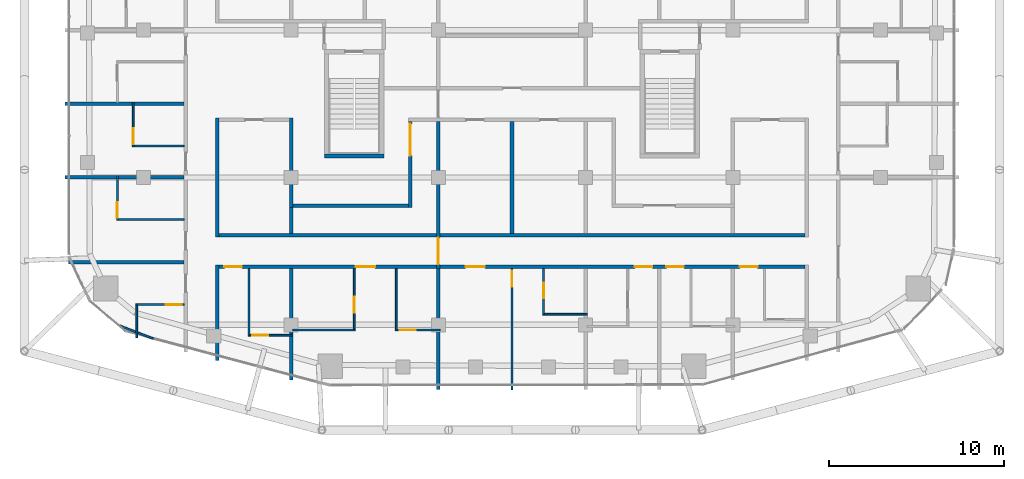
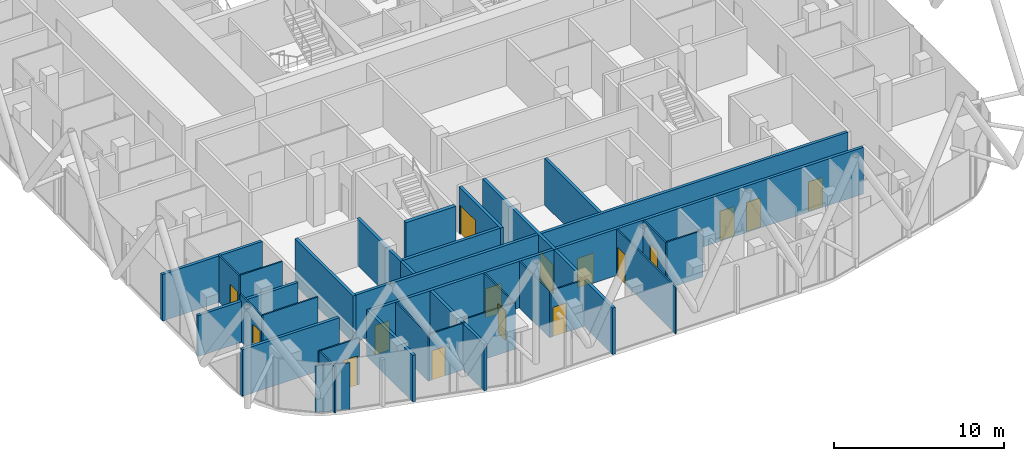
# One storey, part 23 of 31: 32 walls, 16 doors, 16 openings.
"""IFC4 building model written with IfcOpenShell, lengths in metres."""

from ifc_helpers import new_model, si_unit, direction, frame, frame_2d, origin, place, context, subcontext, project, spatial, rectangle, extrude, material, layer, layer_set, type_object, element, fill, save


model = new_model("IFC4")

# Units and contexts
model_context = context("Model", 3, precision=1e-05, world=origin(), true_north=direction((0.0, 1.0)))
body_context = subcontext(model_context, "Body", "Model", "MODEL_VIEW")
ifc_project = project(units=[si_unit("LENGTHUNIT", "METRE"), si_unit("AREAUNIT", "SQUARE_METRE"), si_unit("VOLUMEUNIT", "CUBIC_METRE"), si_unit("PLANEANGLEUNIT", "RADIAN"), si_unit("MASSUNIT", "GRAM", prefix="KILO")], contexts=[model_context])

# Site, building, storey
site_placement = place(None, origin())
site = spatial("IfcSite", under=ifc_project, at=site_placement, CompositionType="ELEMENT")
building_placement = place(site_placement, origin())
building = spatial("IfcBuilding", under=site, at=building_placement, Name="Marenta Gate Hotel Tower", CompositionType="ELEMENT")
storey_placement = place(building_placement, frame((0.0, 0.0, 220.10009765625)))
storey = spatial("IfcBuildingStorey", under=building, at=storey_placement, Name="L51", CompositionType="ELEMENT", Elevation=220.10009765625)

# Wall
ifc_material_1 = material(Name="Concrete blockwork", Category="masonry")
ifc_layer_1 = layer(ifc_material_1, 0.199951171875)
ifc_layer_set_1 = layer_set([ifc_layer_1], Name="Concrete blockwork")
wall_type_1 = type_object("IfcWallType", Name="Compartment wall 200 REI 180", PredefinedType="PARTITIONING", material=ifc_layer_set_1)
wall_1_placement = place(storey_placement, frame((-4.199951171875, -28.89990234375, 0.0), z_axis=(0.0, 0.0, 1.0), x_axis=(0.0, 1.0, 0.0)))
element("IfcWall", 1, at=wall_1_placement, inside=storey, type_object=wall_type_1, Name="L51-PTN-W080", PredefinedType="PARTITIONING", context=body_context, shape_type="SweptSolid", body=[
    extrude(rectangle(XDim=6.89990234375, YDim=0.199951171875, at=frame_2d((3.449951171875, 0.0))), origin(), (0.0, 0.0, 1.0), 3.33984375),
])

# Wall, opening, door
wall_2_placement = place(storey_placement, frame((-4.199951171875, -22.0, 0.0), z_axis=(0.0, 0.0, 1.0), x_axis=(0.0, 1.0, 0.0)))
wall_2 = element("IfcWall", 2, at=wall_2_placement, inside=storey, type_object=wall_type_1, Name="L51-PTN-W081", PredefinedType="PARTITIONING", context=body_context, shape_type="SweptSolid", body=[
    extrude(rectangle(XDim=8.39990234375, YDim=0.199951171875, at=frame_2d((4.199951171875, 0.0))), origin(), (0.0, 0.0, 1.0), 3.33984375),
])
opening_1_placement = place(wall_2_placement, frame((0.25, 0.0, 0.0)))
opening_1 = element("IfcOpeningElement", 3, at=opening_1_placement, cuts=wall_2, Name="Opening G19-FD4", PredefinedType="OPENING", context=body_context, shape_type="SweptSolid", body=[
    extrude(rectangle(XDim=1.5, YDim=2.10009765625, at=frame_2d((0.75, 1.050048828125))), frame((0.0, 0.10009765625, 0.0), z_axis=(0.0, -1.0, 0.0), x_axis=(1.0, 0.0, 0.0)), (0.0, 0.0, 1.0), 0.199951171875),
])
ifc_material_2 = material(Name="Hollow steel door set", Category="steel")
door_type_1 = type_object("IfcDoorType", Name="Compartment fire door 1500x2100 EI 60", OperationType="DOUBLE_DOOR_DOUBLE_SWING", PredefinedType="DOOR", material=ifc_material_2)
door_1_placement = place(opening_1_placement, origin())
door_1 = element("IfcDoor", 4, at=door_1_placement, inside=storey, type_object=door_type_1, Name="L51-PD-FD04", OperationType="DOUBLE_DOOR_DOUBLE_SWING", OverallHeight=2.10009765625, OverallWidth=1.5, PredefinedType="DOOR", context=body_context, shape_type="SweptSolid", body=[
    extrude(rectangle(XDim=1.5, YDim=2.10009765625, at=frame_2d((0.75, 1.050048828125))), frame((0.0, 0.02490234375, 0.0), z_axis=(0.0, -1.0, 0.0), x_axis=(1.0, 0.0, 0.0)), (0.0, 0.0, 1.0), 0.050048828125),
])
fill(opening_1, door_1)

# Wall
ifc_material_3 = material(Name="Concrete C40", Category="concrete")
ifc_layer_2 = layer(ifc_material_3, 0.25)
ifc_layer_set_2 = layer_set([ifc_layer_2], Name="Concrete C40")
wall_type_2 = type_object("IfcWallType", Name="Remote stair enclosure wall 250 REI 180", PredefinedType="SHEAR", material=ifc_layer_set_2)
wall_3_placement = place(storey_placement, frame((-10.699951171875, -15.574951171875, 0.099853515625), z_axis=(0.0, 0.0, 1.0), x_axis=(1.0, 0.0, 0.0)))
element("IfcWall", 5, at=wall_3_placement, inside=storey, type_object=wall_type_2, Name="L51-RS-Z3-1-W1", PredefinedType="SHEAR", context=body_context, shape_type="SweptSolid", body=[
    extrude(rectangle(XDim=3.39990234375, YDim=0.25, at=frame_2d((1.699951171875, 0.0))), origin(), (0.0, 0.0, 1.0), 3.60009765625),
])

# Wall, openings, doors
ifc_material_4 = material(Name="Gypsum board on steel stud", Category="steel")
ifc_layer_3 = layer(ifc_material_4, 0.199951171875)
ifc_layer_set_3 = layer_set([ifc_layer_3], Name="Gypsum board on steel stud")
wall_type_3 = type_object("IfcWallType", Name="Room corridor wall 200 EI 60", PredefinedType="PARTITIONING", material=ifc_layer_set_3)
wall_4_placement = place(storey_placement, frame((-16.699951171875, -21.89990234375, 0.0), z_axis=(0.0, 0.0, 1.0), x_axis=(1.0, 0.0, 0.0)))
wall_4 = element("IfcWall", 6, at=wall_4_placement, inside=storey, type_object=wall_type_3, Name="L51-PTN-W015", PredefinedType="PARTITIONING", context=body_context, shape_type="SweptSolid", body=[
    extrude(rectangle(XDim=33.39990234375, YDim=0.199951171875, at=frame_2d((16.699951171875, 0.0))), origin(), (0.0, 0.0, 1.0), 3.33984375),
])
opening_2_placement = place(wall_4_placement, frame((0.300048828125, 0.0, 0.0)))
opening_2 = element("IfcOpeningElement", 7, at=opening_2_placement, cuts=wall_4, Name="Opening G19-36", PredefinedType="OPENING", context=body_context, shape_type="SweptSolid", body=[
    extrude(rectangle(XDim=1.0, YDim=2.10009765625, at=frame_2d((0.5, 1.050048828125))), frame((0.0, 0.10009765625, 0.0), z_axis=(0.0, -1.0, 0.0), x_axis=(1.0, 0.0, 0.0)), (0.0, 0.0, 1.0), 0.199951171875),
])
opening_3_placement = place(wall_4_placement, frame((7.800048828125, 0.0, 0.0)))
opening_3 = element("IfcOpeningElement", 8, at=opening_3_placement, cuts=wall_4, Name="Opening G19-38", PredefinedType="OPENING", context=body_context, shape_type="SweptSolid", body=[
    extrude(rectangle(XDim=1.10009765625, YDim=2.10009765625, at=frame_2d((0.550048828125, 1.050048828125))), frame((0.0, 0.10009765625, 0.0), z_axis=(0.0, -1.0, 0.0), x_axis=(1.0, 0.0, 0.0)), (0.0, 0.0, 1.0), 0.199951171875),
])
opening_4_placement = place(wall_4_placement, frame((14.050048828125, 0.0, 0.0)))
opening_4 = element("IfcOpeningElement", 9, at=opening_4_placement, cuts=wall_4, Name="Opening G19-41", PredefinedType="OPENING", context=body_context, shape_type="SweptSolid", body=[
    extrude(rectangle(XDim=1.10009765625, YDim=2.10009765625, at=frame_2d((0.550048828125, 1.050048828125))), frame((0.0, 0.10009765625, 0.0), z_axis=(0.0, -1.0, 0.0), x_axis=(1.0, 0.0, 0.0)), (0.0, 0.0, 1.0), 0.199951171875),
])
opening_5_placement = place(wall_4_placement, frame((23.699951171875, 0.0, 0.0)))
opening_5 = element("IfcOpeningElement", 10, at=opening_5_placement, cuts=wall_4, Name="Opening G19-44", PredefinedType="OPENING", context=body_context, shape_type="SweptSolid", body=[
    extrude(rectangle(XDim=1.0, YDim=2.10009765625, at=frame_2d((0.5, 1.050048828125))), frame((0.0, 0.10009765625, 0.0), z_axis=(0.0, -1.0, 0.0), x_axis=(1.0, 0.0, 0.0)), (0.0, 0.0, 1.0), 0.199951171875),
])
opening_6_placement = place(wall_4_placement, frame((25.5, 0.0, 0.0)))
opening_6 = element("IfcOpeningElement", 11, at=opening_6_placement, cuts=wall_4, Name="Opening G19-46", PredefinedType="OPENING", context=body_context, shape_type="SweptSolid", body=[
    extrude(rectangle(XDim=1.0, YDim=2.10009765625, at=frame_2d((0.5, 1.050048828125))), frame((0.0, 0.10009765625, 0.0), z_axis=(0.0, -1.0, 0.0), x_axis=(1.0, 0.0, 0.0)), (0.0, 0.0, 1.0), 0.199951171875),
])
opening_7_placement = place(wall_4_placement, frame((29.699951171875, 0.0, 0.0)))
opening_7 = element("IfcOpeningElement", 12, at=opening_7_placement, cuts=wall_4, Name="Opening G19-48", PredefinedType="OPENING", context=body_context, shape_type="SweptSolid", body=[
    extrude(rectangle(XDim=1.0, YDim=2.10009765625, at=frame_2d((0.5, 1.050048828125))), frame((0.0, 0.10009765625, 0.0), z_axis=(0.0, -1.0, 0.0), x_axis=(1.0, 0.0, 0.0)), (0.0, 0.0, 1.0), 0.199951171875),
])
ifc_material_5 = material(Name="Timber door leaf", Category="wood")
door_type_2 = type_object("IfcDoorType", Name="Guest room door 1000x2100 EI 30", OperationType="NOTDEFINED", PredefinedType="DOOR", material=ifc_material_5)
door_2_placement = place(opening_2_placement, origin())
door_2 = element("IfcDoor", 13, at=door_2_placement, inside=storey, type_object=door_type_2, Name="L51-PD-D036", OperationType="SINGLE_SWING_RIGHT", OverallHeight=2.10009765625, OverallWidth=1.0, PredefinedType="DOOR", context=body_context, shape_type="SweptSolid", body=[
    extrude(rectangle(XDim=1.0, YDim=2.10009765625, at=frame_2d((0.5, 1.050048828125))), frame((0.0, 0.02490234375, 0.0), z_axis=(0.0, -1.0, 0.0), x_axis=(1.0, 0.0, 0.0)), (0.0, 0.0, 1.0), 0.050048828125),
])
fill(opening_2, door_2)
door_3_placement = place(opening_5_placement, origin())
door_3 = element("IfcDoor", 14, at=door_3_placement, inside=storey, type_object=door_type_2, Name="L51-PD-D044", OperationType="SINGLE_SWING_RIGHT", OverallHeight=2.10009765625, OverallWidth=1.0, PredefinedType="DOOR", context=body_context, shape_type="SweptSolid", body=[
    extrude(rectangle(XDim=1.0, YDim=2.10009765625, at=frame_2d((0.5, 1.050048828125))), frame((0.0, 0.02490234375, 0.0), z_axis=(0.0, -1.0, 0.0), x_axis=(1.0, 0.0, 0.0)), (0.0, 0.0, 1.0), 0.050048828125),
])
fill(opening_5, door_3)
door_4_placement = place(opening_6_placement, origin())
door_4 = element("IfcDoor", 15, at=door_4_placement, inside=storey, type_object=door_type_2, Name="L51-PD-D046", OperationType="SINGLE_SWING_RIGHT", OverallHeight=2.10009765625, OverallWidth=1.0, PredefinedType="DOOR", context=body_context, shape_type="SweptSolid", body=[
    extrude(rectangle(XDim=1.0, YDim=2.10009765625, at=frame_2d((0.5, 1.050048828125))), frame((0.0, 0.02490234375, 0.0), z_axis=(0.0, -1.0, 0.0), x_axis=(1.0, 0.0, 0.0)), (0.0, 0.0, 1.0), 0.050048828125),
])
fill(opening_6, door_4)
door_5_placement = place(opening_7_placement, origin())
door_5 = element("IfcDoor", 16, at=door_5_placement, inside=storey, type_object=door_type_2, Name="L51-PD-D048", OperationType="SINGLE_SWING_RIGHT", OverallHeight=2.10009765625, OverallWidth=1.0, PredefinedType="DOOR", context=body_context, shape_type="SweptSolid", body=[
    extrude(rectangle(XDim=1.0, YDim=2.10009765625, at=frame_2d((0.5, 1.050048828125))), frame((0.0, 0.02490234375, 0.0), z_axis=(0.0, -1.0, 0.0), x_axis=(1.0, 0.0, 0.0)), (0.0, 0.0, 1.0), 0.050048828125),
])
fill(opening_7, door_5)
ifc_material_6 = material(Name="Timber door leaf", Category="wood")
door_type_3 = type_object("IfcDoorType", Name="Guest room door 1100x2100 EI 30", OperationType="NOTDEFINED", PredefinedType="DOOR", material=ifc_material_6)
door_6_placement = place(opening_3_placement, origin())
door_6 = element("IfcDoor", 17, at=door_6_placement, inside=storey, type_object=door_type_3, Name="L51-PD-D038", OperationType="SINGLE_SWING_RIGHT", OverallHeight=2.10009765625, OverallWidth=1.10009765625, PredefinedType="DOOR", context=body_context, shape_type="SweptSolid", body=[
    extrude(rectangle(XDim=1.10009765625, YDim=2.10009765625, at=frame_2d((0.550048828125, 1.050048828125))), frame((0.0, 0.02490234375, 0.0), z_axis=(0.0, -1.0, 0.0), x_axis=(1.0, 0.0, 0.0)), (0.0, 0.0, 1.0), 0.050048828125),
])
fill(opening_3, door_6)
door_7_placement = place(opening_4_placement, origin())
door_7 = element("IfcDoor", 18, at=door_7_placement, inside=storey, type_object=door_type_3, Name="L51-PD-D041", OperationType="SINGLE_SWING_LEFT", OverallHeight=2.10009765625, OverallWidth=1.10009765625, PredefinedType="DOOR", context=body_context, shape_type="SweptSolid", body=[
    extrude(rectangle(XDim=1.10009765625, YDim=2.10009765625, at=frame_2d((0.550048828125, 1.050048828125))), frame((0.0, 0.02490234375, 0.0), z_axis=(0.0, -1.0, 0.0), x_axis=(1.0, 0.0, 0.0)), (0.0, 0.0, 1.0), 0.050048828125),
])
fill(opening_4, door_7)

# Walls
wall_5_placement = place(storey_placement, frame((-16.699951171875, -20.10009765625, 0.0), z_axis=(0.0, 0.0, 1.0), x_axis=(1.0, 0.0, 0.0)))
element("IfcWall", 19, at=wall_5_placement, inside=storey, type_object=wall_type_3, Name="L51-PTN-W019", PredefinedType="PARTITIONING", context=body_context, shape_type="SweptSolid", body=[
    extrude(rectangle(XDim=33.39990234375, YDim=0.199951171875, at=frame_2d((16.699951171875, 0.0))), origin(), (0.0, 0.0, 1.0), 3.33984375),
])
wall_6_placement = place(storey_placement, frame((-12.5, -18.39990234375, 0.0), z_axis=(0.0, 0.0, 1.0), x_axis=(1.0, 0.0, 0.0)))
element("IfcWall", 20, at=wall_6_placement, inside=storey, type_object=wall_type_3, Name="L51-PTN-W022", PredefinedType="PARTITIONING", context=body_context, shape_type="SweptSolid", body=[
    extrude(rectangle(XDim=6.60009765625, YDim=0.199951171875, at=frame_2d((3.300048828125, 0.0))), origin(), (0.0, 0.0, 1.0), 3.33984375),
])

# Wall, opening, door
wall_7_placement = place(storey_placement, frame((-5.800048828125, -18.5, 0.0), z_axis=(0.0, 0.0, 1.0), x_axis=(0.0, 1.0, 0.0)))
wall_7 = element("IfcWall", 21, at=wall_7_placement, inside=storey, type_object=wall_type_3, Name="L51-PTN-W085", PredefinedType="PARTITIONING", context=body_context, shape_type="SweptSolid", body=[
    extrude(rectangle(XDim=4.89990234375, YDim=0.199951171875, at=frame_2d((2.449951171875, 0.0))), origin(), (0.0, 0.0, 1.0), 3.33984375),
])
opening_8_placement = place(wall_7_placement, frame((2.949951171875, 0.0, 0.0)))
opening_8 = element("IfcOpeningElement", 22, at=opening_8_placement, cuts=wall_7, Name="Opening G19-12", PredefinedType="OPENING", context=body_context, shape_type="SweptSolid", body=[
    extrude(rectangle(XDim=1.800048828125, YDim=2.10009765625, at=frame_2d((0.89990234375, 1.050048828125))), frame((0.0, 0.10009765625, 0.0), z_axis=(0.0, -1.0, 0.0), x_axis=(1.0, 0.0, 0.0)), (0.0, 0.0, 1.0), 0.199951171875),
])
ifc_material_7 = material(Name="Timber door leaf", Category="wood")
door_type_4 = type_object("IfcDoorType", Name="Room amenity door 1800x2100 EI 30", OperationType="DOUBLE_DOOR_SINGLE_SWING", PredefinedType="DOOR", material=ifc_material_7)
door_8_placement = place(opening_8_placement, origin())
door_8 = element("IfcDoor", 23, at=door_8_placement, inside=storey, type_object=door_type_4, Name="L51-PD-D012", OperationType="DOUBLE_DOOR_SINGLE_SWING", OverallHeight=2.10009765625, OverallWidth=1.800048828125, PredefinedType="DOOR", context=body_context, shape_type="SweptSolid", body=[
    extrude(rectangle(XDim=1.800048828125, YDim=2.10009765625, at=frame_2d((0.89990234375, 1.050048828125))), frame((0.0, 0.02490234375, 0.0), z_axis=(0.0, -1.0, 0.0), x_axis=(1.0, 0.0, 0.0)), (0.0, 0.0, 1.0), 0.050048828125),
])
fill(opening_8, door_8)

# Walls
wall_8_placement = place(storey_placement, frame((-12.60009765625, -18.5, 0.0), z_axis=(0.0, 0.0, 1.0), x_axis=(0.0, 1.0, 0.0)))
element("IfcWall", 24, at=wall_8_placement, inside=storey, type_object=wall_type_3, Name="L51-PTN-W099", PredefinedType="PARTITIONING", context=body_context, shape_type="SweptSolid", body=[
    extrude(rectangle(XDim=5.10009765625, YDim=0.199951171875, at=frame_2d((2.550048828125, 0.0))), origin(), (0.0, 0.0, 1.0), 3.33984375),
])
wall_9_placement = place(storey_placement, frame((-16.800048828125, -27.22900390625, 0.0), z_axis=(0.0, 0.0, 1.0), x_axis=(0.0, 1.0, 0.0)))
element("IfcWall", 25, at=wall_9_placement, inside=storey, type_object=wall_type_3, Name="L51-PTN-W104", PredefinedType="PARTITIONING", context=body_context, shape_type="SweptSolid", body=[
    extrude(rectangle(XDim=5.428955078125, YDim=0.199951171875, at=frame_2d((2.71435546875, 0.0))), origin(), (0.0, 0.0, 1.0), 3.33984375),
])
wall_10_placement = place(storey_placement, frame((-16.800048828125, -20.199951171875, 0.0), z_axis=(0.0, 0.0, 1.0), x_axis=(0.0, 1.0, 0.0)))
element("IfcWall", 26, at=wall_10_placement, inside=storey, type_object=wall_type_3, Name="L51-PTN-W105", PredefinedType="PARTITIONING", context=body_context, shape_type="SweptSolid", body=[
    extrude(rectangle(XDim=6.800048828125, YDim=0.199951171875, at=frame_2d((3.39990234375, 0.0))), origin(), (0.0, 0.0, 1.0), 3.33984375),
])
ifc_material_8 = material(Name="Gypsum board on steel stud", Category="steel")
ifc_layer_4 = layer(ifc_material_8, 0.10009765625)
ifc_layer_set_4 = layer_set([ifc_layer_4], Name="Gypsum board on steel stud")
wall_type_4 = type_object("IfcWallType", Name="Room partition 100", PredefinedType="PARTITIONING", material=ifc_layer_set_4)
wall_11_placement = place(storey_placement, frame((-22.385986328125, -25.2470703125, 0.0), z_axis=(0.0, 0.0, 1.0), x_axis=(0.932741240306, -0.360546499959, 0.0)))
element("IfcWall", 27, at=wall_11_placement, inside=storey, type_object=wall_type_4, Name="L51-PTN-W001", PredefinedType="PARTITIONING", context=body_context, shape_type="SweptSolid", body=[
    extrude(rectangle(XDim=2.06591796875, YDim=0.10009765625, at=frame_2d((1.032958984375, 0.0))), origin(), (0.0, 0.0, 1.0), 3.33984375),
])

# Wall, opening, door
wall_12_placement = place(storey_placement, frame((-14.949951171875, -25.800048828125, 0.0), z_axis=(0.0, 0.0, 1.0), x_axis=(1.0, 0.0, 0.0)))
wall_12 = element("IfcWall", 28, at=wall_12_placement, inside=storey, type_object=wall_type_4, Name="L51-PTN-W002", PredefinedType="PARTITIONING", context=body_context, shape_type="SweptSolid", body=[
    extrude(rectangle(XDim=2.449951171875, YDim=0.10009765625, at=frame_2d((1.22509765625, 0.0))), origin(), (0.0, 0.0, 1.0), 3.33984375),
])
opening_9_placement = place(wall_12_placement, frame((0.14990234375, 0.0, 0.0)))
opening_9 = element("IfcOpeningElement", 29, at=opening_9_placement, cuts=wall_12, Name="Opening G19-37", PredefinedType="OPENING", context=body_context, shape_type="SweptSolid", body=[
    extrude(rectangle(XDim=0.89990234375, YDim=2.10009765625, at=frame_2d((0.449951171875, 1.050048828125))), frame((0.0, 0.050048828125, 0.0), z_axis=(0.0, -1.0, 0.0), x_axis=(1.0, 0.0, 0.0)), (0.0, 0.0, 1.0), 0.10009765625),
])
ifc_material_9 = material(Name="Timber door leaf", Category="wood")
door_type_5 = type_object("IfcDoorType", Name="Guest bathroom door 900x2100", OperationType="NOTDEFINED", PredefinedType="DOOR", material=ifc_material_9)
door_9_placement = place(opening_9_placement, origin())
door_9 = element("IfcDoor", 30, at=door_9_placement, inside=storey, type_object=door_type_5, Name="L51-PD-D037", OperationType="SINGLE_SWING_LEFT", OverallHeight=2.10009765625, OverallWidth=0.89990234375, PredefinedType="DOOR", context=body_context, shape_type="SweptSolid", body=[
    extrude(rectangle(XDim=0.89990234375, YDim=2.10009765625, at=frame_2d((0.449951171875, 1.050048828125))), frame((0.0, 0.02490234375, 0.0), z_axis=(0.0, -1.0, 0.0), x_axis=(1.0, 0.0, 0.0)), (0.0, 0.0, 1.0), 0.050048828125),
])
fill(opening_9, door_9)

# Wall
wall_13_placement = place(storey_placement, frame((-12.5, -25.5, 0.0), z_axis=(0.0, 0.0, 1.0), x_axis=(1.0, 0.0, 0.0)))
element("IfcWall", 31, at=wall_13_placement, inside=storey, type_object=wall_type_4, Name="L51-PTN-W003", PredefinedType="PARTITIONING", context=body_context, shape_type="SweptSolid", body=[
    extrude(rectangle(XDim=3.550048828125, YDim=0.10009765625, at=frame_2d((1.77490234375, 0.0))), origin(), (0.0, 0.0, 1.0), 3.33984375),
])

# Wall, opening, door
wall_14_placement = place(storey_placement, frame((-6.550048828125, -25.5, 0.0), z_axis=(0.0, 0.0, 1.0), x_axis=(1.0, 0.0, 0.0)))
wall_14 = element("IfcWall", 32, at=wall_14_placement, inside=storey, type_object=wall_type_4, Name="L51-PTN-W004", PredefinedType="PARTITIONING", context=body_context, shape_type="SweptSolid", body=[
    extrude(rectangle(XDim=2.449951171875, YDim=0.10009765625, at=frame_2d((1.22509765625, 0.0))), origin(), (0.0, 0.0, 1.0), 3.33984375),
])
opening_10_placement = place(wall_14_placement, frame((0.14990234375, 0.0, 0.0)))
opening_10 = element("IfcOpeningElement", 33, at=opening_10_placement, cuts=wall_14, Name="Opening G19-40", PredefinedType="OPENING", context=body_context, shape_type="SweptSolid", body=[
    extrude(rectangle(XDim=0.89990234375, YDim=2.10009765625, at=frame_2d((0.449951171875, 1.050048828125))), frame((0.0, 0.050048828125, 0.0), z_axis=(0.0, -1.0, 0.0), x_axis=(1.0, 0.0, 0.0)), (0.0, 0.0, 1.0), 0.10009765625),
])
ifc_material_10 = material(Name="Timber door leaf", Category="wood")
door_type_6 = type_object("IfcDoorType", Name="Room inner door 900x2100", OperationType="NOTDEFINED", PredefinedType="DOOR", material=ifc_material_10)
door_10_placement = place(opening_10_placement, origin())
door_10 = element("IfcDoor", 34, at=door_10_placement, inside=storey, type_object=door_type_6, Name="L51-PD-D040", OperationType="SINGLE_SWING_LEFT", OverallHeight=2.10009765625, OverallWidth=0.89990234375, PredefinedType="DOOR", context=body_context, shape_type="SweptSolid", body=[
    extrude(rectangle(XDim=0.89990234375, YDim=2.10009765625, at=frame_2d((0.449951171875, 1.050048828125))), frame((0.0, 0.02490234375, 0.0), z_axis=(0.0, -1.0, 0.0), x_axis=(1.0, 0.0, 0.0)), (0.0, 0.0, 1.0), 0.050048828125),
])
fill(opening_10, door_10)

# Wall
wall_15_placement = place(storey_placement, frame((1.85009765625, -24.60009765625, 0.0), z_axis=(0.0, 0.0, 1.0), x_axis=(1.0, 0.0, 0.0)))
element("IfcWall", 35, at=wall_15_placement, inside=storey, type_object=wall_type_4, Name="L51-PTN-W008", PredefinedType="PARTITIONING", context=body_context, shape_type="SweptSolid", body=[
    extrude(rectangle(XDim=2.449951171875, YDim=0.10009765625, at=frame_2d((1.22509765625, 0.0))), origin(), (0.0, 0.0, 1.0), 3.33984375),
])

# Wall, opening, door
wall_16_placement = place(storey_placement, frame((-21.449951171875, -24.051025390625, 0.0), z_axis=(0.0, 0.0, 1.0), x_axis=(1.0, 0.0, 0.0)))
wall_16 = element("IfcWall", 36, at=wall_16_placement, inside=storey, type_object=wall_type_4, Name="L51-PTN-W009", PredefinedType="PARTITIONING", context=body_context, shape_type="SweptSolid", body=[
    extrude(rectangle(XDim=2.75, YDim=0.10009765625, at=frame_2d((1.375, 0.0))), origin(), (0.0, 0.0, 1.0), 3.33984375),
])
opening_11_placement = place(wall_16_placement, frame((1.7099609375, 0.0, 0.0)))
opening_11 = element("IfcOpeningElement", 37, at=opening_11_placement, cuts=wall_16, Name="Opening G19-51", PredefinedType="OPENING", context=body_context, shape_type="SweptSolid", body=[
    extrude(rectangle(XDim=0.89990234375, YDim=2.10009765625, at=frame_2d((0.449951171875, 1.050048828125))), frame((0.0, 0.050048828125, 0.0), z_axis=(0.0, -1.0, 0.0), x_axis=(1.0, 0.0, 0.0)), (0.0, 0.0, 1.0), 0.10009765625),
])
door_11_placement = place(opening_11_placement, origin())
door_11 = element("IfcDoor", 38, at=door_11_placement, inside=storey, type_object=door_type_5, Name="L51-PD-D051", OperationType="SINGLE_SWING_LEFT", OverallHeight=2.10009765625, OverallWidth=0.89990234375, PredefinedType="DOOR", context=body_context, shape_type="SweptSolid", body=[
    extrude(rectangle(XDim=0.89990234375, YDim=2.10009765625, at=frame_2d((0.449951171875, 1.050048828125))), frame((0.0, 0.02490234375, 0.0), z_axis=(0.0, -1.0, 0.0), x_axis=(1.0, 0.0, 0.0)), (0.0, 0.0, 1.0), 0.050048828125),
])
fill(opening_11, door_11)

# Walls
wall_17_placement = place(storey_placement, frame((-22.449951171875, -19.199951171875, 0.0), z_axis=(0.0, 0.0, 1.0), x_axis=(1.0, 0.0, 0.0)))
element("IfcWall", 39, at=wall_17_placement, inside=storey, type_object=wall_type_4, Name="L51-PTN-W020", PredefinedType="PARTITIONING", context=body_context, shape_type="SweptSolid", body=[
    extrude(rectangle(XDim=3.75, YDim=0.10009765625, at=frame_2d((1.875, 0.0))), origin(), (0.0, 0.0, 1.0), 3.33984375),
])
wall_18_placement = place(storey_placement, frame((-21.550048828125, -15.0, 0.0), z_axis=(0.0, 0.0, 1.0), x_axis=(1.0, 0.0, 0.0)))
element("IfcWall", 40, at=wall_18_placement, inside=storey, type_object=wall_type_4, Name="L51-PTN-W030", PredefinedType="PARTITIONING", context=body_context, shape_type="SweptSolid", body=[
    extrude(rectangle(XDim=2.85009765625, YDim=0.10009765625, at=frame_2d((1.425048828125, 0.0))), origin(), (0.0, 0.0, 1.0), 3.33984375),
])

# Wall, opening, door
wall_19_placement = place(storey_placement, frame((1.800048828125, -24.64990234375, 0.0), z_axis=(0.0, 0.0, 1.0), x_axis=(0.0, 1.0, 0.0)))
wall_19 = element("IfcWall", 41, at=wall_19_placement, inside=storey, type_object=wall_type_4, Name="L51-PTN-W073", PredefinedType="PARTITIONING", context=body_context, shape_type="SweptSolid", body=[
    extrude(rectangle(XDim=2.64990234375, YDim=0.10009765625, at=frame_2d((1.324951171875, 0.0))), origin(), (0.0, 0.0, 1.0), 3.33984375),
])
opening_12_placement = place(wall_19_placement, frame((0.949951171875, 0.0, 0.0)))
opening_12 = element("IfcOpeningElement", 42, at=opening_12_placement, cuts=wall_19, Name="Opening G19-43", PredefinedType="OPENING", context=body_context, shape_type="SweptSolid", body=[
    extrude(rectangle(XDim=0.89990234375, YDim=2.10009765625, at=frame_2d((0.449951171875, 1.050048828125))), frame((0.0, 0.050048828125, 0.0), z_axis=(0.0, -1.0, 0.0), x_axis=(1.0, 0.0, 0.0)), (0.0, 0.0, 1.0), 0.10009765625),
])
door_12_placement = place(opening_12_placement, origin())
door_12 = element("IfcDoor", 43, at=door_12_placement, inside=storey, type_object=door_type_5, Name="L51-PD-D043", OperationType="SINGLE_SWING_LEFT", OverallHeight=2.10009765625, OverallWidth=0.89990234375, PredefinedType="DOOR", context=body_context, shape_type="SweptSolid", body=[
    extrude(rectangle(XDim=0.89990234375, YDim=2.10009765625, at=frame_2d((0.449951171875, 1.050048828125))), frame((0.0, 0.02490234375, 0.0), z_axis=(0.0, -1.0, 0.0), x_axis=(1.0, 0.0, 0.0)), (0.0, 0.0, 1.0), 0.050048828125),
])
fill(opening_12, door_12)

wall_20_placement = place(storey_placement, frame((0.0, -28.89990234375, 0.0), z_axis=(0.0, 0.0, 1.0), x_axis=(0.0, 1.0, 0.0)))
wall_20 = element("IfcWall", 44, at=wall_20_placement, inside=storey, type_object=wall_type_4, Name="L51-PTN-W075", PredefinedType="PARTITIONING", context=body_context, shape_type="SweptSolid", body=[
    extrude(rectangle(XDim=6.89990234375, YDim=0.10009765625, at=frame_2d((3.449951171875, 0.0))), origin(), (0.0, 0.0, 1.0), 3.33984375),
])
opening_13_placement = place(wall_20_placement, frame((5.8798828125, 0.0, 0.0)))
opening_13 = element("IfcOpeningElement", 45, at=opening_13_placement, cuts=wall_20, Name="Opening G19-42", PredefinedType="OPENING", context=body_context, shape_type="SweptSolid", body=[
    extrude(rectangle(XDim=0.89990234375, YDim=2.10009765625, at=frame_2d((0.449951171875, 1.050048828125))), frame((0.0, 0.050048828125, 0.0), z_axis=(0.0, -1.0, 0.0), x_axis=(1.0, 0.0, 0.0)), (0.0, 0.0, 1.0), 0.10009765625),
])
door_13_placement = place(opening_13_placement, origin())
door_13 = element("IfcDoor", 46, at=door_13_placement, inside=storey, type_object=door_type_6, Name="L51-PD-D042", OperationType="SINGLE_SWING_LEFT", OverallHeight=2.10009765625, OverallWidth=0.89990234375, PredefinedType="DOOR", context=body_context, shape_type="SweptSolid", body=[
    extrude(rectangle(XDim=0.89990234375, YDim=2.10009765625, at=frame_2d((0.449951171875, 1.050048828125))), frame((0.0, 0.02490234375, 0.0), z_axis=(0.0, -1.0, 0.0), x_axis=(1.0, 0.0, 0.0)), (0.0, 0.0, 1.0), 0.050048828125),
])
fill(opening_13, door_13)

# Wall
wall_21_placement = place(storey_placement, frame((-6.60009765625, -25.550048828125, 0.0), z_axis=(0.0, 0.0, 1.0), x_axis=(0.0, 1.0, 0.0)))
element("IfcWall", 47, at=wall_21_placement, inside=storey, type_object=wall_type_4, Name="L51-PTN-W086", PredefinedType="PARTITIONING", context=body_context, shape_type="SweptSolid", body=[
    extrude(rectangle(XDim=3.550048828125, YDim=0.10009765625, at=frame_2d((1.77490234375, 0.0))), origin(), (0.0, 0.0, 1.0), 3.33984375),
])

# Wall, opening, door
wall_22_placement = place(storey_placement, frame((-9.0, -25.449951171875, 0.0), z_axis=(0.0, 0.0, 1.0), x_axis=(0.0, 1.0, 0.0)))
wall_22 = element("IfcWall", 48, at=wall_22_placement, inside=storey, type_object=wall_type_4, Name="L51-PTN-W091", PredefinedType="PARTITIONING", context=body_context, shape_type="SweptSolid", body=[
    extrude(rectangle(XDim=3.449951171875, YDim=0.10009765625, at=frame_2d((1.72509765625, 0.0))), origin(), (0.0, 0.0, 1.0), 3.33984375),
])
opening_14_placement = place(wall_22_placement, frame((0.93994140625, 0.0, 0.0)))
opening_14 = element("IfcOpeningElement", 49, at=opening_14_placement, cuts=wall_22, Name="Opening G19-39", PredefinedType="OPENING", context=body_context, shape_type="SweptSolid", body=[
    extrude(rectangle(XDim=0.89990234375, YDim=2.10009765625, at=frame_2d((0.449951171875, 1.050048828125))), frame((0.0, 0.050048828125, 0.0), z_axis=(0.0, -1.0, 0.0), x_axis=(1.0, 0.0, 0.0)), (0.0, 0.0, 1.0), 0.10009765625),
])
door_14_placement = place(opening_14_placement, origin())
door_14 = element("IfcDoor", 50, at=door_14_placement, inside=storey, type_object=door_type_5, Name="L51-PD-D039", OperationType="SINGLE_SWING_LEFT", OverallHeight=2.10009765625, OverallWidth=0.89990234375, PredefinedType="DOOR", context=body_context, shape_type="SweptSolid", body=[
    extrude(rectangle(XDim=0.89990234375, YDim=2.10009765625, at=frame_2d((0.449951171875, 1.050048828125))), frame((0.0, 0.02490234375, 0.0), z_axis=(0.0, -1.0, 0.0), x_axis=(1.0, 0.0, 0.0)), (0.0, 0.0, 1.0), 0.050048828125),
])
fill(opening_14, door_14)

# Walls
wall_23_placement = place(storey_placement, frame((-15.0, -25.85009765625, 0.0), z_axis=(0.0, 0.0, 1.0), x_axis=(0.0, 1.0, 0.0)))
element("IfcWall", 51, at=wall_23_placement, inside=storey, type_object=wall_type_4, Name="L51-PTN-W103", PredefinedType="PARTITIONING", context=body_context, shape_type="SweptSolid", body=[
    extrude(rectangle(XDim=3.85009765625, YDim=0.10009765625, at=frame_2d((1.925048828125, 0.0))), origin(), (0.0, 0.0, 1.0), 3.33984375),
])
wall_24_placement = place(storey_placement, frame((-21.39990234375, -25.927978515625, 0.0), z_axis=(0.0, 0.0, 1.0), x_axis=(0.0, 1.0, 0.0)))
element("IfcWall", 52, at=wall_24_placement, inside=storey, type_object=wall_type_4, Name="L51-PTN-W114", PredefinedType="PARTITIONING", context=body_context, shape_type="SweptSolid", body=[
    extrude(rectangle(XDim=1.826904296875, YDim=0.10009765625, at=frame_2d((0.91357421875, 0.0))), origin(), (0.0, 0.0, 1.0), 3.33984375),
])

# Wall, opening, door
wall_25_placement = place(storey_placement, frame((-21.60009765625, -15.050048828125, 0.0), z_axis=(0.0, 0.0, 1.0), x_axis=(0.0, 1.0, 0.0)))
wall_25 = element("IfcWall", 53, at=wall_25_placement, inside=storey, type_object=wall_type_4, Name="L51-PTN-W116", PredefinedType="PARTITIONING", context=body_context, shape_type="SweptSolid", body=[
    extrude(rectangle(XDim=2.550048828125, YDim=0.10009765625, at=frame_2d((1.27490234375, 0.0))), origin(), (0.0, 0.0, 1.0), 3.33984375),
])
opening_15_placement = place(wall_25_placement, frame((0.14990234375, 0.0, 0.0)))
opening_15 = element("IfcOpeningElement", 54, at=opening_15_placement, cuts=wall_25, Name="Opening G19-55", PredefinedType="OPENING", context=body_context, shape_type="SweptSolid", body=[
    extrude(rectangle(XDim=0.89990234375, YDim=2.10009765625, at=frame_2d((0.449951171875, 1.050048828125))), frame((0.0, 0.050048828125, 0.0), z_axis=(0.0, -1.0, 0.0), x_axis=(1.0, 0.0, 0.0)), (0.0, 0.0, 1.0), 0.10009765625),
])
door_15_placement = place(opening_15_placement, origin())
door_15 = element("IfcDoor", 55, at=door_15_placement, inside=storey, type_object=door_type_5, Name="L51-PD-D055", OperationType="SINGLE_SWING_RIGHT", OverallHeight=2.10009765625, OverallWidth=0.89990234375, PredefinedType="DOOR", context=body_context, shape_type="SweptSolid", body=[
    extrude(rectangle(XDim=0.89990234375, YDim=2.10009765625, at=frame_2d((0.449951171875, 1.050048828125))), frame((0.0, 0.02490234375, 0.0), z_axis=(0.0, -1.0, 0.0), x_axis=(1.0, 0.0, 0.0)), (0.0, 0.0, 1.0), 0.050048828125),
])
fill(opening_15, door_15)

wall_26_placement = place(storey_placement, frame((-22.5, -19.25, 0.0), z_axis=(0.0, 0.0, 1.0), x_axis=(0.0, 1.0, 0.0)))
wall_26 = element("IfcWall", 56, at=wall_26_placement, inside=storey, type_object=wall_type_4, Name="L51-PTN-W121", PredefinedType="PARTITIONING", context=body_context, shape_type="SweptSolid", body=[
    extrude(rectangle(XDim=2.550048828125, YDim=0.10009765625, at=frame_2d((1.27490234375, 0.0))), origin(), (0.0, 0.0, 1.0), 3.33984375),
])
opening_16_placement = place(wall_26_placement, frame((0.14990234375, 0.0, 0.0)))
opening_16 = element("IfcOpeningElement", 57, at=opening_16_placement, cuts=wall_26, Name="Opening G19-53", PredefinedType="OPENING", context=body_context, shape_type="SweptSolid", body=[
    extrude(rectangle(XDim=0.89990234375, YDim=2.10009765625, at=frame_2d((0.449951171875, 1.050048828125))), frame((0.0, 0.050048828125, 0.0), z_axis=(0.0, -1.0, 0.0), x_axis=(1.0, 0.0, 0.0)), (0.0, 0.0, 1.0), 0.10009765625),
])
door_16_placement = place(opening_16_placement, origin())
door_16 = element("IfcDoor", 58, at=door_16_placement, inside=storey, type_object=door_type_5, Name="L51-PD-D053", OperationType="SINGLE_SWING_RIGHT", OverallHeight=2.10009765625, OverallWidth=0.89990234375, PredefinedType="DOOR", context=body_context, shape_type="SweptSolid", body=[
    extrude(rectangle(XDim=0.89990234375, YDim=2.10009765625, at=frame_2d((0.449951171875, 1.050048828125))), frame((0.0, 0.02490234375, 0.0), z_axis=(0.0, -1.0, 0.0), x_axis=(1.0, 0.0, 0.0)), (0.0, 0.0, 1.0), 0.050048828125),
])
fill(opening_16, door_16)

# Walls
ifc_material_11 = material(Name="Gypsum board on steel stud", Category="steel")
ifc_layer_5 = layer(ifc_material_11, 0.199951171875)
ifc_layer_set_5 = layer_set([ifc_layer_5], Name="Gypsum board on steel stud")
wall_type_5 = type_object("IfcWallType", Name="Room party wall 200 EI 60", PredefinedType="PARTITIONING", material=ifc_layer_set_5)
wall_27_placement = place(storey_placement, frame((-25.27587890625, -21.625, 0.0), z_axis=(0.0, 0.0, 1.0), x_axis=(1.0, 0.0, 0.0)))
element("IfcWall", 59, at=wall_27_placement, inside=storey, type_object=wall_type_5, Name="L51-PTN-W016", PredefinedType="PARTITIONING", context=body_context, shape_type="SweptSolid", body=[
    extrude(rectangle(XDim=6.575927734375, YDim=0.199951171875, at=frame_2d((3.2880859375, 0.0))), origin(), (0.0, 0.0, 1.0), 3.33984375),
])
wall_28_placement = place(storey_placement, frame((-25.5, -16.800048828125, 0.0), z_axis=(0.0, 0.0, 1.0), x_axis=(1.0, 0.0, 0.0)))
element("IfcWall", 60, at=wall_28_placement, inside=storey, type_object=wall_type_5, Name="L51-PTN-W028", PredefinedType="PARTITIONING", context=body_context, shape_type="SweptSolid", body=[
    extrude(rectangle(XDim=6.800048828125, YDim=0.199951171875, at=frame_2d((3.39990234375, 0.0))), origin(), (0.0, 0.0, 1.0), 2.93994140625),
])
wall_29_placement = place(storey_placement, frame((-25.5, -12.60009765625, 0.0), z_axis=(0.0, 0.0, 1.0), x_axis=(1.0, 0.0, 0.0)))
element("IfcWall", 61, at=wall_29_placement, inside=storey, type_object=wall_type_5, Name="L51-PTN-W041", PredefinedType="PARTITIONING", context=body_context, shape_type="SweptSolid", body=[
    extrude(rectangle(XDim=6.800048828125, YDim=0.199951171875, at=frame_2d((3.39990234375, 0.0))), origin(), (0.0, 0.0, 1.0), 3.33984375),
])
wall_30_placement = place(storey_placement, frame((0.0, -20.0, 0.0), z_axis=(0.0, 0.0, 1.0), x_axis=(0.0, 1.0, 0.0)))
element("IfcWall", 62, at=wall_30_placement, inside=storey, type_object=wall_type_5, Name="L51-PTN-W076", PredefinedType="PARTITIONING", context=body_context, shape_type="SweptSolid", body=[
    extrude(rectangle(XDim=6.39990234375, YDim=0.199951171875, at=frame_2d((3.199951171875, 0.0))), origin(), (0.0, 0.0, 1.0), 3.33984375),
])
wall_31_placement = place(storey_placement, frame((-12.60009765625, -28.343017578125, 0.0), z_axis=(0.0, 0.0, 1.0), x_axis=(0.0, 1.0, 0.0)))
element("IfcWall", 63, at=wall_31_placement, inside=storey, type_object=wall_type_5, Name="L51-PTN-W095", PredefinedType="PARTITIONING", context=body_context, shape_type="SweptSolid", body=[
    extrude(rectangle(XDim=6.343017578125, YDim=0.199951171875, at=frame_2d((3.17138671875, 0.0))), origin(), (0.0, 0.0, 1.0), 3.33984375),
])
wall_32_placement = place(storey_placement, frame((-12.60009765625, -20.0, 0.0), z_axis=(0.0, 0.0, 1.0), x_axis=(0.0, 1.0, 0.0)))
element("IfcWall", 64, at=wall_32_placement, inside=storey, type_object=wall_type_5, Name="L51-PTN-W096", PredefinedType="PARTITIONING", context=body_context, shape_type="SweptSolid", body=[
    extrude(rectangle(XDim=1.5, YDim=0.199951171875, at=frame_2d((0.75, 0.0))), origin(), (0.0, 0.0, 1.0), 3.33984375),
])

save(model, "model.ifc")
